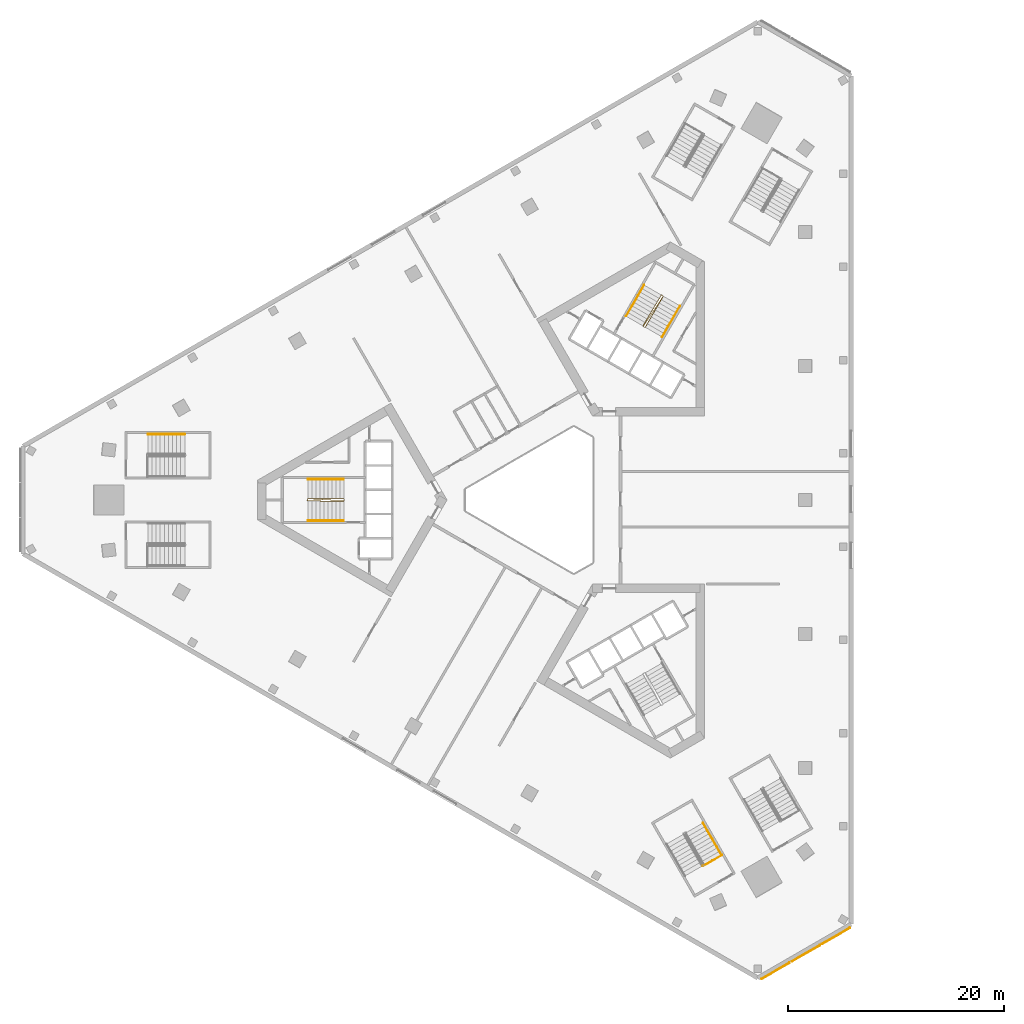
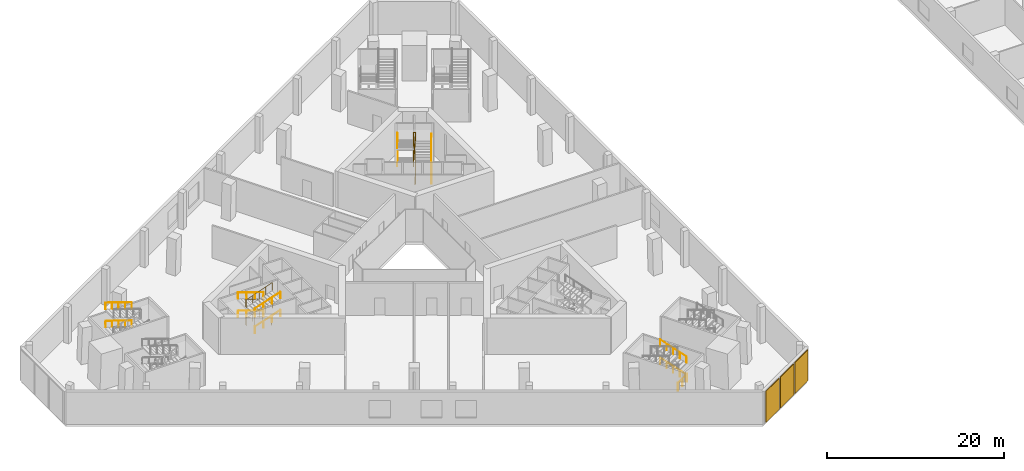
# One storey, part 24 of 36: 15 railings, 3 coverings.
"""IFC4 building model written with IfcOpenShell, lengths in metres."""

from ifc_helpers import new_model, si_unit, direction, frame, origin, origin_2d, place, context, subcontext, project, spatial, rectangle, circle, extrude, material, layer, layer_set, type_object, element, save


model = new_model("IFC4")

# Units and contexts
model_context = context("Model", 3, precision=1e-05, world=origin(), true_north=direction((0.0, 1.0)))
body_context = subcontext(model_context, "Body", "Model", "MODEL_VIEW")
ifc_project = project(units=[si_unit("LENGTHUNIT", "METRE"), si_unit("AREAUNIT", "SQUARE_METRE"), si_unit("VOLUMEUNIT", "CUBIC_METRE"), si_unit("PLANEANGLEUNIT", "RADIAN"), si_unit("MASSUNIT", "GRAM", prefix="KILO")], contexts=[model_context])

# Site, building, storey
site_placement = place(None, origin())
site = spatial("IfcSite", under=ifc_project, at=site_placement, CompositionType="ELEMENT")
building_placement = place(site_placement, origin())
building = spatial("IfcBuilding", under=site, at=building_placement, Name="Jabali Bay Hotel Tower and Convention Centre", CompositionType="ELEMENT")
storey_placement = place(building_placement, frame((0.0, 0.0, 20.39990234375)))
storey = spatial("IfcBuildingStorey", under=building, at=storey_placement, Name="L03", CompositionType="ELEMENT", Elevation=20.39990234375)

# Coverings
ifc_material_1 = material(Name="Precast concrete C40/50", Category="concrete")
ifc_layer = layer(ifc_material_1, 0.080078125)
ifc_layer_set = layer_set([ifc_layer], Name="Precast concrete C40/50")
covering_type = type_object("IfcCoveringType", Name="Relief panel 3000 x 4300", PredefinedType="CLADDING", material=ifc_layer_set)
for number, where, z_axis, x_axis, name in (
    (1, (102.1044921875, 39.5537109375, 0.10009765625), (0.0, 0.0, 1.0), (-0.866025402842, -0.500000001632, 0.0), "Relief panel L03"),
    (2, (99.289794921875, 37.9287109375, 0.10009765625), (0.0, 0.0, 1.0), (-0.866025402842, -0.500000001632, 0.0), "Relief panel L03"),
    (3, (96.475341796875, 36.3037109375, 0.10009765625), (0.0, 0.0, 1.0), (-0.866025402842, -0.500000001632, 0.0), "Relief panel L03"),
):
    element("IfcCovering", number, at=place(storey_placement, frame(where, z_axis=z_axis, x_axis=x_axis)), inside=storey, type_object=covering_type, Name=name, PredefinedType="CLADDING", context=body_context, shape_type="SweptSolid", body=[
        extrude(rectangle(XDim=3.0, YDim=0.080078125, at=origin_2d()), origin(), (0.0, 0.0, 1.0), 4.300048828125),
    ])

# Railings
ifc_material_2 = material(Name="Steel Q355B", Category="steel")
railing_type_1 = type_object("IfcRailingType", Name="Stair guard 1100", PredefinedType="GUARDRAIL", material=ifc_material_2)
railing_1_placement = place(storey_placement, frame((56.469970703125, 80.074951171875, 0.0)))
element("IfcRailing", 4, at=railing_1_placement, inside=storey, type_object=railing_type_1, Name="L03 ST1 stair guard 1", PredefinedType="GUARDRAIL", context=body_context, shape_type="SweptSolid", body=[
    extrude(circle(Radius=0.02392578125, at=origin_2d()), frame((0.0, 0.0, 1.076171875), z_axis=(-0.34841279274, 0.34841279274, 0.870182194549), x_axis=(-0.707106781187, -0.707106781187, 0.0)), (0.0, 0.0, 1.0), 0.1435546875),
    extrude(circle(Radius=0.02392578125, at=origin_2d()), frame((-0.050048828125, 0.050048828125, 1.201171875), z_axis=(-0.947390420465, 0.0, 0.320080288694), x_axis=(0.0, -1.0, 0.0)), (0.0, 0.0, 1.0), 3.5146484375),
    extrude(circle(Radius=0.02392578125, at=origin_2d()), frame((-3.3798828125, 0.050048828125, 2.326171875), z_axis=(-0.242814311512, -0.970072785993, 0.0), x_axis=(0.970072785993, -0.242814311512, 0.0)), (0.0, 0.0, 1.0), 0.2060546875),
    extrude(circle(Radius=0.02392578125, at=origin_2d()), frame((-3.429931640625, -0.14990234375, 2.326171875), z_axis=(0.937821659868, -0.013887130907, 0.346839562158), x_axis=(0.014806235788, 0.999890381683, 0.0)), (0.0, 0.0, 1.0), 3.60400390625),
    extrude(circle(Radius=0.02392578125, at=origin_2d()), frame((-0.050048828125, -0.199951171875, 3.576171875), z_axis=(0.707106781187, 0.707106781187, 0.0), x_axis=(-0.707106781187, 0.707106781187, 0.0)), (0.0, 0.0, 1.0), 0.07080078125),
    extrude(circle(Radius=0.02392578125, at=origin_2d()), frame((0.0, -0.14990234375, 3.576171875), z_axis=(-0.93647164865, 0.055400915938, 0.346340280344), x_axis=(-0.059055950465, -0.998254674276, 0.0)), (0.0, 0.0, 1.0), 3.609130859375),
    extrude(circle(Radius=0.02392578125, at=origin_2d()), frame((-3.3798828125, 0.050048828125, 4.826171875), z_axis=(-0.242814311512, -0.970072785993, 0.0), x_axis=(0.970072785993, -0.242814311512, 0.0)), (0.0, 0.0, 1.0), 0.2060546875),
    extrude(circle(Radius=0.02392578125, at=origin_2d()), frame((-3.429931640625, -0.14990234375, 4.826171875), z_axis=(0.937821659868, -0.013887130907, 0.346839562158), x_axis=(0.014806235788, 0.999890381683, 0.0)), (0.0, 0.0, 1.0), 3.60400390625),
    extrude(circle(Radius=0.02099609375, at=origin_2d()), origin(), (0.0, 0.0, 1.0), 1.052001953125),
    extrude(circle(Radius=0.02099609375, at=origin_2d()), frame((-0.050048828125, 0.050048828125, 0.125)), (0.0, 0.0, 1.0), 1.052001953125),
    extrude(circle(Radius=0.02099609375, at=origin_2d()), frame((-1.159912109375, 0.050048828125, 0.5)), (0.0, 0.0, 1.0), 1.052001953125),
    extrude(circle(Radius=0.02099609375, at=origin_2d()), frame((-2.27001953125, 0.050048828125, 0.875)), (0.0, 0.0, 1.0), 1.052001953125),
    extrude(circle(Radius=0.02099609375, at=origin_2d()), frame((-3.3798828125, 0.050048828125, 1.25)), (0.0, 0.0, 1.0), 1.052001953125),
    extrude(circle(Radius=0.02099609375, at=origin_2d()), frame((-3.429931640625, -0.14990234375, 1.25)), (0.0, 0.0, 1.0), 1.052001953125),
    extrude(circle(Radius=0.02099609375, at=origin_2d()), frame((-2.5849609375, -0.162353515625, 1.5625)), (0.0, 0.0, 1.0), 1.052001953125),
    extrude(circle(Radius=0.02099609375, at=origin_2d()), frame((-1.739990234375, -0.1748046875, 1.875)), (0.0, 0.0, 1.0), 1.052001953125),
    extrude(circle(Radius=0.02099609375, at=origin_2d()), frame((-0.89501953125, -0.1875, 2.1875)), (0.0, 0.0, 1.0), 1.052001953125),
    extrude(circle(Radius=0.02099609375, at=origin_2d()), frame((-0.050048828125, -0.199951171875, 2.5)), (0.0, 0.0, 1.0), 1.052001953125),
    extrude(circle(Radius=0.02099609375, at=origin_2d()), frame((0.0, -0.14990234375, 2.5)), (0.0, 0.0, 1.0), 1.052001953125),
    extrude(circle(Radius=0.02099609375, at=origin_2d()), frame((-0.844970703125, -0.099853515625, 2.8125)), (0.0, 0.0, 1.0), 1.052001953125),
    extrude(circle(Radius=0.02099609375, at=origin_2d()), frame((-1.68994140625, -0.0498046875, 3.125)), (0.0, 0.0, 1.0), 1.052001953125),
    extrude(circle(Radius=0.02099609375, at=origin_2d()), frame((-2.534912109375, 0.0, 3.4375)), (0.0, 0.0, 1.0), 1.052001953125),
    extrude(circle(Radius=0.02099609375, at=origin_2d()), frame((-3.3798828125, 0.050048828125, 3.75)), (0.0, 0.0, 1.0), 1.052001953125),
    extrude(circle(Radius=0.02099609375, at=origin_2d()), frame((-3.429931640625, -0.14990234375, 3.75)), (0.0, 0.0, 1.0), 1.052001953125),
    extrude(circle(Radius=0.02099609375, at=origin_2d()), frame((-2.5849609375, -0.162353515625, 4.0625)), (0.0, 0.0, 1.0), 1.052001953125),
    extrude(circle(Radius=0.02099609375, at=origin_2d()), frame((-1.739990234375, -0.1748046875, 4.375)), (0.0, 0.0, 1.0), 1.052001953125),
    extrude(circle(Radius=0.02099609375, at=origin_2d()), frame((-0.89501953125, -0.1875, 4.6875)), (0.0, 0.0, 1.0), 1.052001953125),
    extrude(circle(Radius=0.02099609375, at=origin_2d()), frame((-0.050048828125, -0.199951171875, 5.0)), (0.0, 0.0, 1.0), 1.052001953125),
])
railing_2_placement = place(storey_placement, frame((84.329833984375, 96.010009765625, 0.0)))
element("IfcRailing", 5, at=railing_2_placement, inside=storey, type_object=railing_type_1, Name="L03 ST2 stair guard 1", PredefinedType="GUARDRAIL", context=body_context, shape_type="SweptSolid", body=[
    extrude(circle(Radius=0.02392578125, at=origin_2d()), frame((0.0, 0.0, 1.076171875), z_axis=(0.475898071169, 0.127472697635, 0.870213615852), x_axis=(-0.258736085224, 0.965948051503, 0.0)), (0.0, 0.0, 1.0), 0.1435546875),
    extrude(circle(Radius=0.02392578125, at=origin_2d()), frame((0.068359375, 0.018310546875, 1.201171875), z_axis=(0.473714601276, 0.820457019102, 0.320069924147), x_axis=(-0.866014653411, 0.500018619731, 0.0)), (0.0, 0.0, 1.0), 3.514892578125),
    extrude(circle(Radius=0.02392578125, at=origin_2d()), frame((1.7333984375, 2.902099609375, 2.326171875), z_axis=(-0.718850276695, 0.695164929852, 0.0), x_axis=(-0.695164929852, -0.718850276695, 0.0)), (0.0, 0.0, 1.0), 0.2060546875),
    extrude(circle(Radius=0.02392578125, at=origin_2d()), frame((1.585205078125, 3.04541015625, 2.326171875), z_axis=(-0.480955231434, -0.805227441698, 0.34682968802), x_axis=(0.858517215027, -0.512784741877, 0.0)), (0.0, 0.0, 1.0), 3.60400390625),
    extrude(circle(Radius=0.02392578125, at=origin_2d()), frame((-0.148193359375, 0.143310546875, 3.576171875), z_axis=(0.258736085224, -0.965948051503, 0.0), x_axis=(0.965948051503, 0.258736085224, 0.0)), (0.0, 0.0, 1.0), 0.07080078125),
    extrude(circle(Radius=0.02392578125, at=origin_2d()), frame((-0.1298828125, 0.074951171875, 3.576171875), z_axis=(0.516243724315, 0.783294330132, 0.346327026794), x_axis=(-0.834967240255, 0.550299652645, 0.0)), (0.0, 0.0, 1.0), 3.609375),
    extrude(circle(Radius=0.02392578125, at=origin_2d()), frame((1.7333984375, 2.902099609375, 4.826171875), z_axis=(-0.718850276695, 0.695164929852, 0.0), x_axis=(-0.695164929852, -0.718850276695, 0.0)), (0.0, 0.0, 1.0), 0.2060546875),
    extrude(circle(Radius=0.02392578125, at=origin_2d()), frame((1.585205078125, 3.04541015625, 4.826171875), z_axis=(-0.480955231434, -0.805227441698, 0.34682968802), x_axis=(0.858517215027, -0.512784741877, 0.0)), (0.0, 0.0, 1.0), 3.60400390625),
    extrude(circle(Radius=0.02099609375, at=origin_2d()), origin(), (0.0, 0.0, 1.0), 1.052001953125),
    extrude(circle(Radius=0.02099609375, at=origin_2d()), frame((0.068359375, 0.018310546875, 0.125)), (0.0, 0.0, 1.0), 1.052001953125),
    extrude(circle(Radius=0.02099609375, at=origin_2d()), frame((0.623291015625, 0.9794921875, 0.5)), (0.0, 0.0, 1.0), 1.052001953125),
    extrude(circle(Radius=0.02099609375, at=origin_2d()), frame((1.178466796875, 1.94091796875, 0.875)), (0.0, 0.0, 1.0), 1.052001953125),
    extrude(circle(Radius=0.02099609375, at=origin_2d()), frame((1.7333984375, 2.902099609375, 1.25)), (0.0, 0.0, 1.0), 1.052001953125),
    extrude(circle(Radius=0.02099609375, at=origin_2d()), frame((1.585205078125, 3.04541015625, 1.25)), (0.0, 0.0, 1.0), 1.052001953125),
    extrude(circle(Radius=0.02099609375, at=origin_2d()), frame((1.15185546875, 2.31982421875, 1.5625)), (0.0, 0.0, 1.0), 1.052001953125),
    extrude(circle(Radius=0.02099609375, at=origin_2d()), frame((0.718505859375, 1.59423828125, 1.875)), (0.0, 0.0, 1.0), 1.052001953125),
    extrude(circle(Radius=0.02099609375, at=origin_2d()), frame((0.28515625, 0.868896484375, 2.1875)), (0.0, 0.0, 1.0), 1.052001953125),
    extrude(circle(Radius=0.02099609375, at=origin_2d()), frame((-0.148193359375, 0.143310546875, 2.5)), (0.0, 0.0, 1.0), 1.052001953125),
    extrude(circle(Radius=0.02099609375, at=origin_2d()), frame((-0.1298828125, 0.074951171875, 2.5)), (0.0, 0.0, 1.0), 1.052001953125),
    extrude(circle(Radius=0.02099609375, at=origin_2d()), frame((0.3359375, 0.78173828125, 2.8125)), (0.0, 0.0, 1.0), 1.052001953125),
    extrude(circle(Radius=0.02099609375, at=origin_2d()), frame((0.8017578125, 1.488525390625, 3.125)), (0.0, 0.0, 1.0), 1.052001953125),
    extrude(circle(Radius=0.02099609375, at=origin_2d()), frame((1.267578125, 2.1953125, 3.4375)), (0.0, 0.0, 1.0), 1.052001953125),
    extrude(circle(Radius=0.02099609375, at=origin_2d()), frame((1.7333984375, 2.902099609375, 3.75)), (0.0, 0.0, 1.0), 1.052001953125),
    extrude(circle(Radius=0.02099609375, at=origin_2d()), frame((1.585205078125, 3.04541015625, 3.75)), (0.0, 0.0, 1.0), 1.052001953125),
    extrude(circle(Radius=0.02099609375, at=origin_2d()), frame((1.15185546875, 2.31982421875, 4.0625)), (0.0, 0.0, 1.0), 1.052001953125),
    extrude(circle(Radius=0.02099609375, at=origin_2d()), frame((0.718505859375, 1.59423828125, 4.375)), (0.0, 0.0, 1.0), 1.052001953125),
    extrude(circle(Radius=0.02099609375, at=origin_2d()), frame((0.28515625, 0.868896484375, 4.6875)), (0.0, 0.0, 1.0), 1.052001953125),
    extrude(circle(Radius=0.02099609375, at=origin_2d()), frame((-0.148193359375, 0.143310546875, 5.0)), (0.0, 0.0, 1.0), 1.052001953125),
])
railing_3_placement = place(storey_placement, frame((91.5380859375, 47.05517578125, 0.0)))
element("IfcRailing", 6, at=railing_3_placement, inside=storey, type_object=railing_type_1, Name="L03 PS6 top well guard 1", PredefinedType="GUARDRAIL", context=body_context, shape_type="SweptSolid", body=[
    extrude(circle(Radius=0.02392578125, at=origin_2d()), frame((0.0, 0.0, 1.076171875), z_axis=(-0.866050731258, -0.499956128963, 0.0), x_axis=(0.499956128963, -0.866050731258, 0.0)), (0.0, 0.0, 1.0), 2.050048828125),
    extrude(circle(Radius=0.02099609375, at=origin_2d()), origin(), (0.0, 0.0, 1.0), 1.052001953125),
    extrude(circle(Radius=0.02099609375, at=origin_2d()), frame((-0.8876953125, -0.512451171875, 0.0)), (0.0, 0.0, 1.0), 1.052001953125),
    extrude(circle(Radius=0.02099609375, at=origin_2d()), frame((-1.775390625, -1.02490234375, 0.0)), (0.0, 0.0, 1.0), 1.052001953125),
])
railing_type_2 = type_object("IfcRailingType", Name="Stair handrail 900", PredefinedType="HANDRAIL", material=ifc_material_2)
railing_4_placement = place(storey_placement, frame((56.419921875, 81.925048828125, 0.125)))
element("IfcRailing", 7, at=railing_4_placement, inside=storey, type_object=railing_type_2, Name="L03 ST1 stair handrail 1", PredefinedType="HANDRAIL", context=body_context, shape_type="SweptSolid", body=[
    extrude(circle(Radius=0.02392578125, at=origin_2d()), frame((0.0, 0.0, 0.8759765625), z_axis=(-0.947390420465, 0.0, 0.320080288694), x_axis=(0.0, -1.0, 0.0)), (0.0, 0.0, 1.0), 3.5146484375),
    extrude(circle(Radius=0.02099609375, at=origin_2d()), origin(), (0.0, 0.0, 1.0), 0.851806640625),
    extrude(circle(Radius=0.02099609375, at=origin_2d()), frame((-1.10986328125, 0.0, 0.375)), (0.0, 0.0, 1.0), 0.851806640625),
    extrude(circle(Radius=0.02099609375, at=origin_2d()), frame((-2.219970703125, 0.0, 0.75)), (0.0, 0.0, 1.0), 0.851806640625),
    extrude(circle(Radius=0.02099609375, at=origin_2d()), frame((-3.329833984375, 0.0, 1.125)), (0.0, 0.0, 1.0), 0.851806640625),
])
railing_5_placement = place(storey_placement, frame((53.090087890625, 78.074951171875, 1.375)))
element("IfcRailing", 8, at=railing_5_placement, inside=storey, type_object=railing_type_2, Name="L03 ST1 stair handrail 2", PredefinedType="HANDRAIL", context=body_context, shape_type="SweptSolid", body=[
    extrude(circle(Radius=0.02392578125, at=origin_2d()), frame((0.0, 0.0, 0.8759765625), z_axis=(0.947390420465, 0.0, 0.320080288694), x_axis=(0.0, 1.0, 0.0)), (0.0, 0.0, 1.0), 3.5146484375),
    extrude(circle(Radius=0.02099609375, at=origin_2d()), origin(), (0.0, 0.0, 1.0), 0.851806640625),
    extrude(circle(Radius=0.02099609375, at=origin_2d()), frame((1.10986328125, 0.0, 0.375)), (0.0, 0.0, 1.0), 0.851806640625),
    extrude(circle(Radius=0.02099609375, at=origin_2d()), frame((2.219970703125, 0.0, 0.75)), (0.0, 0.0, 1.0), 0.851806640625),
    extrude(circle(Radius=0.02099609375, at=origin_2d()), frame((3.329833984375, 0.0, 1.125)), (0.0, 0.0, 1.0), 0.851806640625),
])
railing_6_placement = place(storey_placement, frame((56.419921875, 81.925048828125, 2.625)))
element("IfcRailing", 9, at=railing_6_placement, inside=storey, type_object=railing_type_2, Name="L03 ST1 stair handrail 3", PredefinedType="HANDRAIL", context=body_context, shape_type="SweptSolid", body=[
    extrude(circle(Radius=0.02392578125, at=origin_2d()), frame((0.0, 0.0, 0.8759765625), z_axis=(-0.947390420465, 0.0, 0.320080288694), x_axis=(0.0, -1.0, 0.0)), (0.0, 0.0, 1.0), 3.5146484375),
    extrude(circle(Radius=0.02099609375, at=origin_2d()), origin(), (0.0, 0.0, 1.0), 0.851806640625),
    extrude(circle(Radius=0.02099609375, at=origin_2d()), frame((-1.10986328125, 0.0, 0.375)), (0.0, 0.0, 1.0), 0.851806640625),
    extrude(circle(Radius=0.02099609375, at=origin_2d()), frame((-2.219970703125, 0.0, 0.75)), (0.0, 0.0, 1.0), 0.851806640625),
    extrude(circle(Radius=0.02099609375, at=origin_2d()), frame((-3.329833984375, 0.0, 1.125)), (0.0, 0.0, 1.0), 0.851806640625),
])
railing_7_placement = place(storey_placement, frame((53.090087890625, 78.074951171875, 3.875)))
element("IfcRailing", 10, at=railing_7_placement, inside=storey, type_object=railing_type_2, Name="L03 ST1 stair handrail 4", PredefinedType="HANDRAIL", context=body_context, shape_type="SweptSolid", body=[
    extrude(circle(Radius=0.02392578125, at=origin_2d()), frame((0.0, 0.0, 0.8759765625), z_axis=(0.947390420465, 0.0, 0.320080288694), x_axis=(0.0, 1.0, 0.0)), (0.0, 0.0, 1.0), 3.5146484375),
    extrude(circle(Radius=0.02099609375, at=origin_2d()), origin(), (0.0, 0.0, 1.0), 0.851806640625),
    extrude(circle(Radius=0.02099609375, at=origin_2d()), frame((1.10986328125, 0.0, 0.375)), (0.0, 0.0, 1.0), 0.851806640625),
    extrude(circle(Radius=0.02099609375, at=origin_2d()), frame((2.219970703125, 0.0, 0.75)), (0.0, 0.0, 1.0), 0.851806640625),
    extrude(circle(Radius=0.02099609375, at=origin_2d()), frame((3.329833984375, 0.0, 1.125)), (0.0, 0.0, 1.0), 0.851806640625),
])
railing_8_placement = place(storey_placement, frame((85.95703125, 95.128173828125, 0.125)))
element("IfcRailing", 11, at=railing_8_placement, inside=storey, type_object=railing_type_2, Name="L03 ST2 stair handrail 1", PredefinedType="HANDRAIL", context=body_context, shape_type="SweptSolid", body=[
    extrude(circle(Radius=0.02392578125, at=origin_2d()), frame((0.0, 0.0, 0.8759765625), z_axis=(0.473687606094, 0.820479720058, 0.320051684587), x_axis=(-0.866032982159, 0.499986873641, 0.0)), (0.0, 0.0, 1.0), 3.51513671875),
    extrude(circle(Radius=0.02099609375, at=origin_2d()), origin(), (0.0, 0.0, 1.0), 0.851806640625),
    extrude(circle(Radius=0.02099609375, at=origin_2d()), frame((0.554931640625, 0.96142578125, 0.375)), (0.0, 0.0, 1.0), 0.851806640625),
    extrude(circle(Radius=0.02099609375, at=origin_2d()), frame((1.110107421875, 1.922607421875, 0.75)), (0.0, 0.0, 1.0), 0.851806640625),
    extrude(circle(Radius=0.02099609375, at=origin_2d()), frame((1.6650390625, 2.884033203125, 1.125)), (0.0, 0.0, 1.0), 0.851806640625),
])
railing_9_placement = place(storey_placement, frame((84.287841796875, 99.93701171875, 1.375)))
element("IfcRailing", 12, at=railing_9_placement, inside=storey, type_object=railing_type_2, Name="L03 ST2 stair handrail 2", PredefinedType="HANDRAIL", context=body_context, shape_type="SweptSolid", body=[
    extrude(circle(Radius=0.02392578125, at=origin_2d()), frame((0.0, 0.0, 0.8759765625), z_axis=(-0.473714601276, -0.820457019102, 0.320069924147), x_axis=(0.866014653411, -0.500018619731, 0.0)), (0.0, 0.0, 1.0), 3.514892578125),
    extrude(circle(Radius=0.02099609375, at=origin_2d()), origin(), (0.0, 0.0, 1.0), 0.851806640625),
    extrude(circle(Radius=0.02099609375, at=origin_2d()), frame((-0.554931640625, -0.961181640625, 0.375)), (0.0, 0.0, 1.0), 0.851806640625),
    extrude(circle(Radius=0.02099609375, at=origin_2d()), frame((-1.110107421875, -1.922607421875, 0.75)), (0.0, 0.0, 1.0), 0.851806640625),
    extrude(circle(Radius=0.02099609375, at=origin_2d()), frame((-1.6650390625, -2.8837890625, 1.125)), (0.0, 0.0, 1.0), 0.851806640625),
])
railing_10_placement = place(storey_placement, frame((85.95703125, 95.128173828125, 2.625)))
element("IfcRailing", 13, at=railing_10_placement, inside=storey, type_object=railing_type_2, Name="L03 ST2 stair handrail 3", PredefinedType="HANDRAIL", context=body_context, shape_type="SweptSolid", body=[
    extrude(circle(Radius=0.02392578125, at=origin_2d()), frame((0.0, 0.0, 0.8759765625), z_axis=(0.473687606094, 0.820479720058, 0.320051684587), x_axis=(-0.866032982159, 0.499986873641, 0.0)), (0.0, 0.0, 1.0), 3.51513671875),
    extrude(circle(Radius=0.02099609375, at=origin_2d()), origin(), (0.0, 0.0, 1.0), 0.851806640625),
    extrude(circle(Radius=0.02099609375, at=origin_2d()), frame((0.554931640625, 0.96142578125, 0.375)), (0.0, 0.0, 1.0), 0.851806640625),
    extrude(circle(Radius=0.02099609375, at=origin_2d()), frame((1.110107421875, 1.922607421875, 0.75)), (0.0, 0.0, 1.0), 0.851806640625),
    extrude(circle(Radius=0.02099609375, at=origin_2d()), frame((1.6650390625, 2.884033203125, 1.125)), (0.0, 0.0, 1.0), 0.851806640625),
])
railing_11_placement = place(storey_placement, frame((84.287841796875, 99.93701171875, 3.875)))
element("IfcRailing", 14, at=railing_11_placement, inside=storey, type_object=railing_type_2, Name="L03 ST2 stair handrail 4", PredefinedType="HANDRAIL", context=body_context, shape_type="SweptSolid", body=[
    extrude(circle(Radius=0.02392578125, at=origin_2d()), frame((0.0, 0.0, 0.8759765625), z_axis=(-0.473714601276, -0.820457019102, 0.320069924147), x_axis=(0.866014653411, -0.500018619731, 0.0)), (0.0, 0.0, 1.0), 3.514892578125),
    extrude(circle(Radius=0.02099609375, at=origin_2d()), origin(), (0.0, 0.0, 1.0), 0.851806640625),
    extrude(circle(Radius=0.02099609375, at=origin_2d()), frame((-0.554931640625, -0.961181640625, 0.375)), (0.0, 0.0, 1.0), 0.851806640625),
    extrude(circle(Radius=0.02099609375, at=origin_2d()), frame((-1.110107421875, -1.922607421875, 0.75)), (0.0, 0.0, 1.0), 0.851806640625),
    extrude(circle(Radius=0.02099609375, at=origin_2d()), frame((-1.6650390625, -2.8837890625, 1.125)), (0.0, 0.0, 1.0), 0.851806640625),
])
for number, where, name in (
    (15, (41.669921875, 86.10009765625, 1.375), "L03 PS2 stair handrail 2"),
    (16, (41.669921875, 86.10009765625, 3.875), "L03 PS2 stair handrail 4"),
):
    element("IfcRailing", number, at=place(storey_placement, frame(where)), inside=storey, type_object=railing_type_2, Name=name, PredefinedType="HANDRAIL", context=body_context, shape_type="SweptSolid", body=[
        extrude(circle(Radius=0.02392578125, at=origin_2d()), frame((0.0, 0.0, 0.8759765625), z_axis=(-0.949923671101, 0.0, 0.312482030014), x_axis=(0.0, -1.0, 0.0)), (0.0, 0.0, 1.0), 3.60009765625),
        extrude(circle(Radius=0.02099609375, at=origin_2d()), origin(), (0.0, 0.0, 1.0), 0.851806640625),
        extrude(circle(Radius=0.02099609375, at=origin_2d()), frame((-0.85498046875, 0.0, 0.28125)), (0.0, 0.0, 1.0), 0.851806640625),
        extrude(circle(Radius=0.02099609375, at=origin_2d()), frame((-1.7099609375, 0.0, 0.5625)), (0.0, 0.0, 1.0), 0.851806640625),
        extrude(circle(Radius=0.02099609375, at=origin_2d()), frame((-2.56494140625, 0.0, 0.84375)), (0.0, 0.0, 1.0), 0.851806640625),
        extrude(circle(Radius=0.02099609375, at=origin_2d()), frame((-3.419921875, 0.0, 1.125)), (0.0, 0.0, 1.0), 0.851806640625),
    ])
for number, where, name in (
    (17, (91.4697265625, 47.073486328125, 0.125), "L03 PS6 stair handrail 1"),
    (18, (91.4697265625, 47.073486328125, 2.625), "L03 PS6 stair handrail 3"),
):
    element("IfcRailing", number, at=place(storey_placement, frame(where)), inside=storey, type_object=railing_type_2, Name=name, PredefinedType="HANDRAIL", context=body_context, shape_type="SweptSolid", body=[
        extrude(circle(Radius=0.02392578125, at=origin_2d()), frame((0.0, 0.0, 0.8759765625), z_axis=(-0.474942860731, 0.822673727354, 0.312469546295), x_axis=(-0.866038183914, -0.499977863513, 0.0)), (0.0, 0.0, 1.0), 3.600341796875),
        extrude(circle(Radius=0.02099609375, at=origin_2d()), origin(), (0.0, 0.0, 1.0), 0.851806640625),
        extrude(circle(Radius=0.02099609375, at=origin_2d()), frame((-0.427490234375, 0.740478515625, 0.28125)), (0.0, 0.0, 1.0), 0.851806640625),
        extrude(circle(Radius=0.02099609375, at=origin_2d()), frame((-0.85498046875, 1.48095703125, 0.5625)), (0.0, 0.0, 1.0), 0.851806640625),
        extrude(circle(Radius=0.02099609375, at=origin_2d()), frame((-1.282470703125, 2.221435546875, 0.84375)), (0.0, 0.0, 1.0), 0.851806640625),
        extrude(circle(Radius=0.02099609375, at=origin_2d()), frame((-1.7099609375, 2.9619140625, 1.125)), (0.0, 0.0, 1.0), 0.851806640625),
    ])

save(model, "model.ifc")
